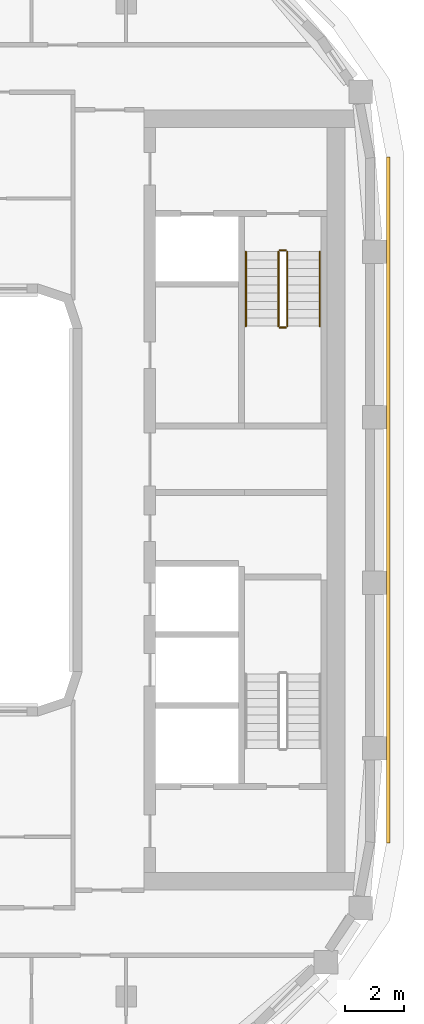
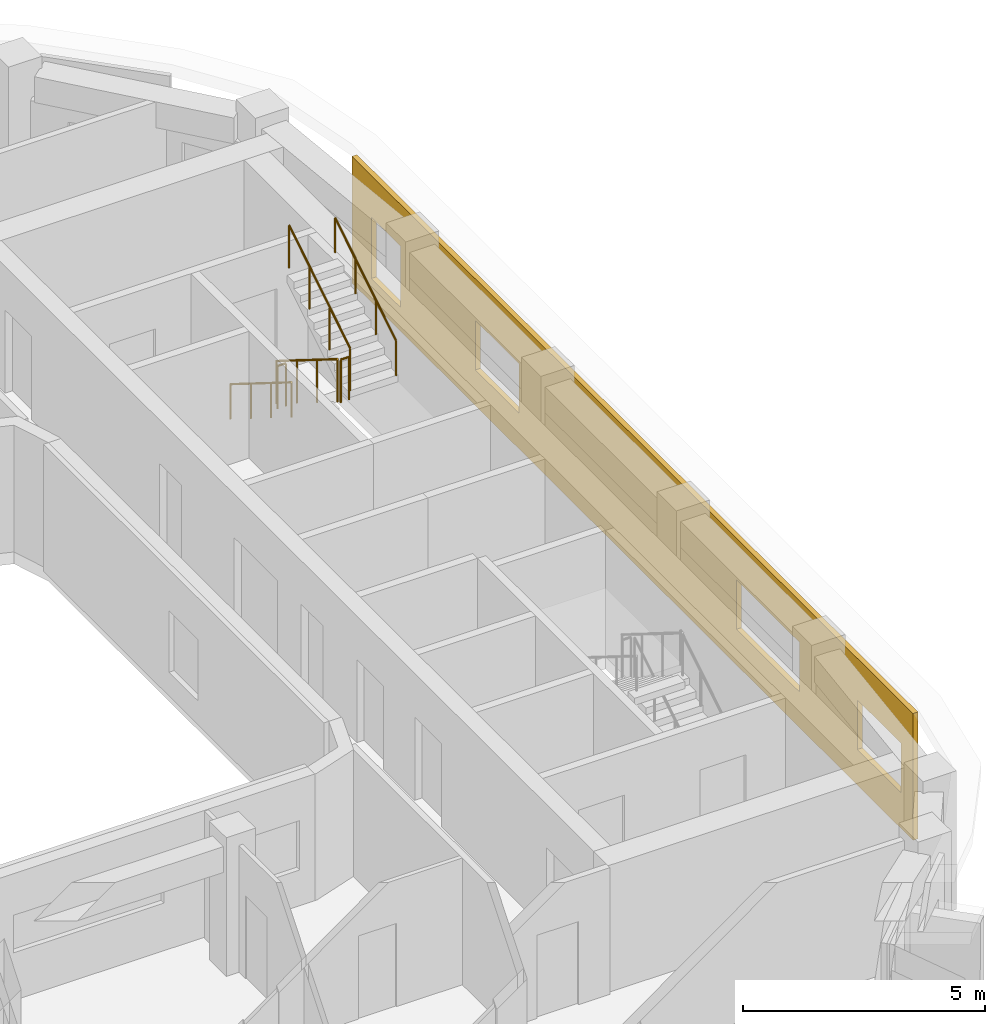
# One storey, part 15 of 16: 6 railings, 1 covering.
"""IFC4 building model written with IfcOpenShell, lengths in metres."""

from ifc_helpers import new_model, si_unit, direction, frame, origin, origin_2d, place, context, subcontext, project, spatial, polyline, circle, outline, extrude, material, layer, layer_set, type_object, element, save


model = new_model("IFC4")

# Units and contexts
model_context = context("Model", 3, precision=1e-05, world=origin(), true_north=direction((0.0, 1.0)))
body_context = subcontext(model_context, "Body", "Model", "MODEL_VIEW")
ifc_project = project(units=[si_unit("LENGTHUNIT", "METRE"), si_unit("AREAUNIT", "SQUARE_METRE"), si_unit("VOLUMEUNIT", "CUBIC_METRE"), si_unit("PLANEANGLEUNIT", "RADIAN"), si_unit("MASSUNIT", "GRAM", prefix="KILO")], contexts=[model_context])

# Site, building, storey
site_placement = place(None, origin())
site = spatial("IfcSite", under=ifc_project, at=site_placement, CompositionType="ELEMENT")
building_placement = place(site_placement, origin())
building = spatial("IfcBuilding", under=site, at=building_placement, Name="Kiln Ring Residences", CompositionType="ELEMENT")
storey_placement = place(building_placement, frame((0.0, 0.0, 255.699951171875)))
storey = spatial("IfcBuildingStorey", under=building, at=storey_placement, Name="L66", CompositionType="ELEMENT", Elevation=255.699951171875)

# Railings
ifc_material_1 = material(Name="Stainless steel", Category="steel")
railing_type_1 = type_object("IfcRailingType", Name="CORE-STAIR-GUARD", PredefinedType="GUARDRAIL", material=ifc_material_1)
railing_1_placement = place(storey_placement, frame((21.949951171875, 8.39990234375, 0.175048828125)))
element("IfcRailing", 1, at=railing_1_placement, inside=storey, type_object=railing_type_1, Name="L66 E-STN stair guard 1", PredefinedType="GUARDRAIL", context=body_context, shape_type="SweptSolid", body=[
    extrude(circle(Radius=0.02392578125, at=origin_2d()), frame((0.0, 0.0, 1.076171875), z_axis=(0.0, -0.848007534815, 0.529984170421), x_axis=(1.0, 0.0, 0.0)), (0.0, 0.0, 1.0), 2.9716796875),
    extrude(circle(Radius=0.02099609375, at=origin_2d()), origin(), (0.0, 0.0, 1.0), 1.052001953125),
    extrude(circle(Radius=0.02099609375, at=origin_2d()), frame((0.0, -0.840087890625, 0.52490234375)), (0.0, 0.0, 1.0), 1.052001953125),
    extrude(circle(Radius=0.02099609375, at=origin_2d()), frame((0.0, -1.679931640625, 1.050048828125)), (0.0, 0.0, 1.0), 1.052001953125),
    extrude(circle(Radius=0.02099609375, at=origin_2d()), frame((0.0, -2.52001953125, 1.574951171875)), (0.0, 0.0, 1.0), 1.052001953125),
])
railing_2_placement = place(storey_placement, frame((22.0, 5.830078125, 1.75)))
element("IfcRailing", 2, at=railing_2_placement, inside=storey, type_object=railing_type_1, Name="L66 E-STN stair guard 2", PredefinedType="GUARDRAIL", context=body_context, shape_type="SweptSolid", body=[
    extrude(circle(Radius=0.02392578125, at=origin_2d()), frame((0.0, 0.0, 1.076171875), z_axis=(1.0, 0.0, 0.0), x_axis=(0.0, 1.0, 0.0)), (0.0, 0.0, 1.0), 0.199951171875),
    extrude(circle(Radius=0.02099609375, at=origin_2d()), origin(), (0.0, 0.0, 1.0), 1.052001953125),
    extrude(circle(Radius=0.02099609375, at=origin_2d()), frame((0.199951171875, 0.0, 0.0)), (0.0, 0.0, 1.0), 1.052001953125),
])
railing_3_placement = place(storey_placement, frame((22.25, 5.8798828125, 1.925048828125)))
element("IfcRailing", 3, at=railing_3_placement, inside=storey, type_object=railing_type_1, Name="L66 E-STN stair guard 3", PredefinedType="GUARDRAIL", context=body_context, shape_type="SweptSolid", body=[
    extrude(circle(Radius=0.02392578125, at=origin_2d()), frame((0.0, 0.0, 1.076171875), z_axis=(0.0, 0.848007534815, 0.529984170421), x_axis=(-1.0, 0.0, 0.0)), (0.0, 0.0, 1.0), 2.9716796875),
    extrude(circle(Radius=0.02099609375, at=origin_2d()), origin(), (0.0, 0.0, 1.0), 1.052001953125),
    extrude(circle(Radius=0.02099609375, at=origin_2d()), frame((0.0, 0.840087890625, 0.52490234375)), (0.0, 0.0, 1.0), 1.052001953125),
    extrude(circle(Radius=0.02099609375, at=origin_2d()), frame((0.0, 1.679931640625, 1.050048828125)), (0.0, 0.0, 1.0), 1.052001953125),
    extrude(circle(Radius=0.02099609375, at=origin_2d()), frame((0.0, 2.52001953125, 1.574951171875)), (0.0, 0.0, 1.0), 1.052001953125),
])
railing_4_placement = place(storey_placement, frame((22.0, 8.449951171875, 0.0)))
element("IfcRailing", 4, at=railing_4_placement, inside=storey, type_object=railing_type_1, Name="L66 E-STN stair guard 4", PredefinedType="GUARDRAIL", context=body_context, shape_type="SweptSolid", body=[
    extrude(circle(Radius=0.02392578125, at=origin_2d()), frame((0.0, 0.0, 1.076171875), z_axis=(1.0, 0.0, 0.0), x_axis=(0.0, 1.0, 0.0)), (0.0, 0.0, 1.0), 0.199951171875),
    extrude(circle(Radius=0.02099609375, at=origin_2d()), origin(), (0.0, 0.0, 1.0), 1.052001953125),
    extrude(circle(Radius=0.02099609375, at=origin_2d()), frame((0.199951171875, 0.0, 0.0)), (0.0, 0.0, 1.0), 1.052001953125),
])
ifc_material_2 = material(Name="Stainless steel", Category="steel")
railing_type_2 = type_object("IfcRailingType", Name="CORE-STAIR-HANDRAIL", PredefinedType="HANDRAIL", material=ifc_material_2)
railing_5_placement = place(storey_placement, frame((20.85009765625, 8.39990234375, 0.175048828125)))
element("IfcRailing", 5, at=railing_5_placement, inside=storey, type_object=railing_type_2, Name="L66 E-STN stair handrail 1", PredefinedType="HANDRAIL", context=body_context, shape_type="SweptSolid", body=[
    extrude(circle(Radius=0.02392578125, at=origin_2d()), frame((0.0, 0.0, 0.8759765625), z_axis=(0.0, -0.848007534815, 0.529984170421), x_axis=(1.0, 0.0, 0.0)), (0.0, 0.0, 1.0), 2.9716796875),
    extrude(circle(Radius=0.02099609375, at=origin_2d()), origin(), (0.0, 0.0, 1.0), 0.851806640625),
    extrude(circle(Radius=0.02099609375, at=origin_2d()), frame((0.0, -0.840087890625, 0.52490234375)), (0.0, 0.0, 1.0), 0.851806640625),
    extrude(circle(Radius=0.02099609375, at=origin_2d()), frame((0.0, -1.679931640625, 1.050048828125)), (0.0, 0.0, 1.0), 0.851806640625),
    extrude(circle(Radius=0.02099609375, at=origin_2d()), frame((0.0, -2.52001953125, 1.574951171875)), (0.0, 0.0, 1.0), 0.851806640625),
])
railing_6_placement = place(storey_placement, frame((23.35009765625, 5.8798828125, 1.925048828125)))
element("IfcRailing", 6, at=railing_6_placement, inside=storey, type_object=railing_type_2, Name="L66 E-STN stair handrail 2", PredefinedType="HANDRAIL", context=body_context, shape_type="SweptSolid", body=[
    extrude(circle(Radius=0.02392578125, at=origin_2d()), frame((0.0, 0.0, 0.8759765625), z_axis=(0.0, 0.848007534815, 0.529984170421), x_axis=(-1.0, 0.0, 0.0)), (0.0, 0.0, 1.0), 2.9716796875),
    extrude(circle(Radius=0.02099609375, at=origin_2d()), origin(), (0.0, 0.0, 1.0), 0.851806640625),
    extrude(circle(Radius=0.02099609375, at=origin_2d()), frame((0.0, 0.840087890625, 0.52490234375)), (0.0, 0.0, 1.0), 0.851806640625),
    extrude(circle(Radius=0.02099609375, at=origin_2d()), frame((0.0, 1.679931640625, 1.050048828125)), (0.0, 0.0, 1.0), 0.851806640625),
    extrude(circle(Radius=0.02099609375, at=origin_2d()), frame((0.0, 2.52001953125, 1.574951171875)), (0.0, 0.0, 1.0), 0.851806640625),
])

# Covering
ifc_material_3 = material(Name="Brick masonry, dark clay brick", Category="masonry")
ifc_layer = layer(ifc_material_3, 0.1201171875)
ifc_layer_set = layer_set([ifc_layer], Name="RAINSCREEN PANEL 120")
covering_type = type_object("IfcCoveringType", Name="RAINSCREEN PANEL 120", PredefinedType="CLADDING", material=ifc_layer_set)
covering_placement = place(storey_placement, frame((25.659912109375, -11.60009765625, 0.0), z_axis=(0.0, 0.0, 1.0), x_axis=(0.0, 1.0, 0.0)))
element("IfcCovering", 7, at=covering_placement, inside=storey, type_object=covering_type, Name="RAINSCREEN L66", PredefinedType="CLADDING", context=body_context, shape_type="SweptSolid", body=[
    extrude(outline(polyline([(0.0, 0.0), (23.199951171875, 0.0), (23.199951171875, 3.199951171875), (0.0, 3.199951171875), (0.0, 0.0)]), holes=[polyline([(22.39990234375, 0.60009765625), (22.39990234375, 2.150146484375), (21.199951171875, 2.150146484375), (21.199951171875, 0.60009765625), (22.39990234375, 0.60009765625)]), polyline([(2.300048828125, 0.900146484375), (2.300048828125, 2.150146484375), (0.5, 2.150146484375), (0.5, 0.900146484375), (2.300048828125, 0.900146484375)]), polyline([(7.300048828125, 0.900146484375), (7.300048828125, 2.150146484375), (4.699951171875, 2.150146484375), (4.699951171875, 0.900146484375), (7.300048828125, 0.900146484375)]), polyline([(18.10009765625, 0.900146484375), (18.10009765625, 2.150146484375), (16.300048828125, 2.150146484375), (16.300048828125, 0.900146484375), (18.10009765625, 0.900146484375)])]), frame((0.0, 0.06005859375, 0.0), z_axis=(0.0, -1.0, 0.0), x_axis=(1.0, 0.0, 0.0)), (0.0, 0.0, 1.0), 0.1201171875),
])

save(model, "model.ifc")
